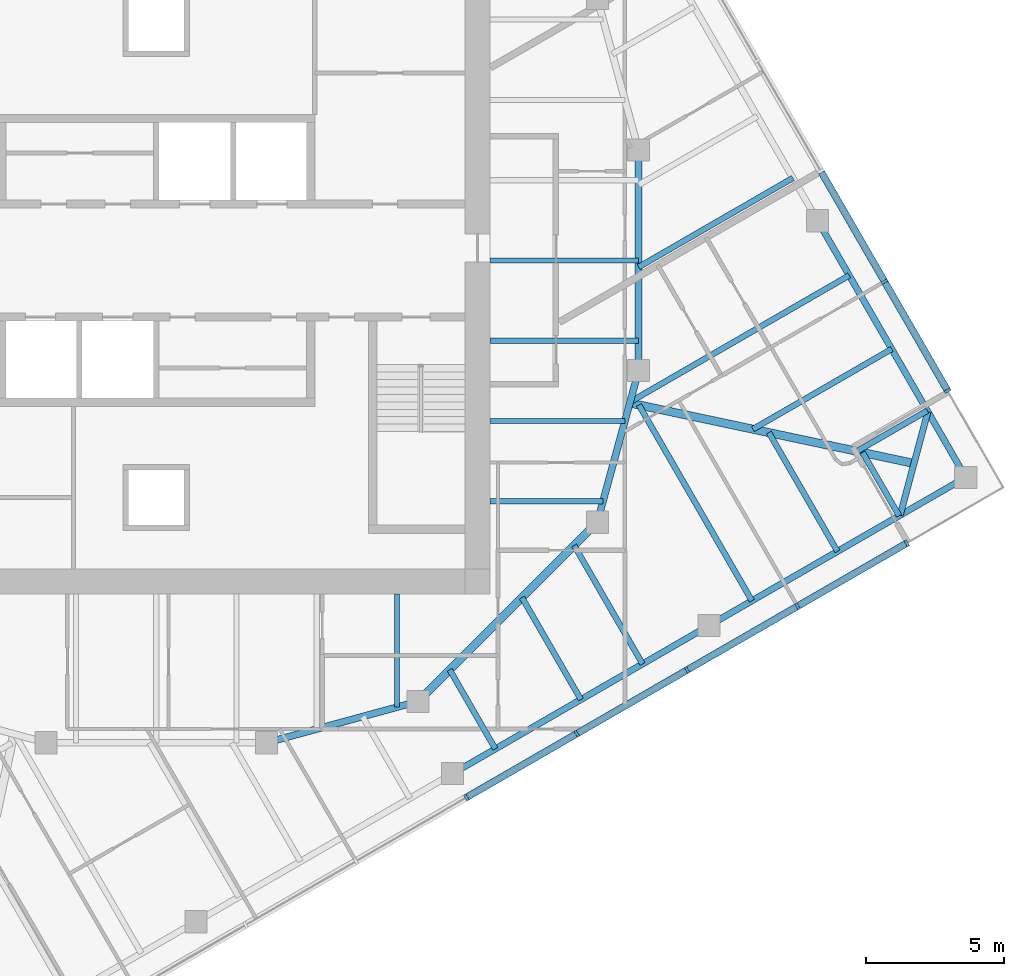
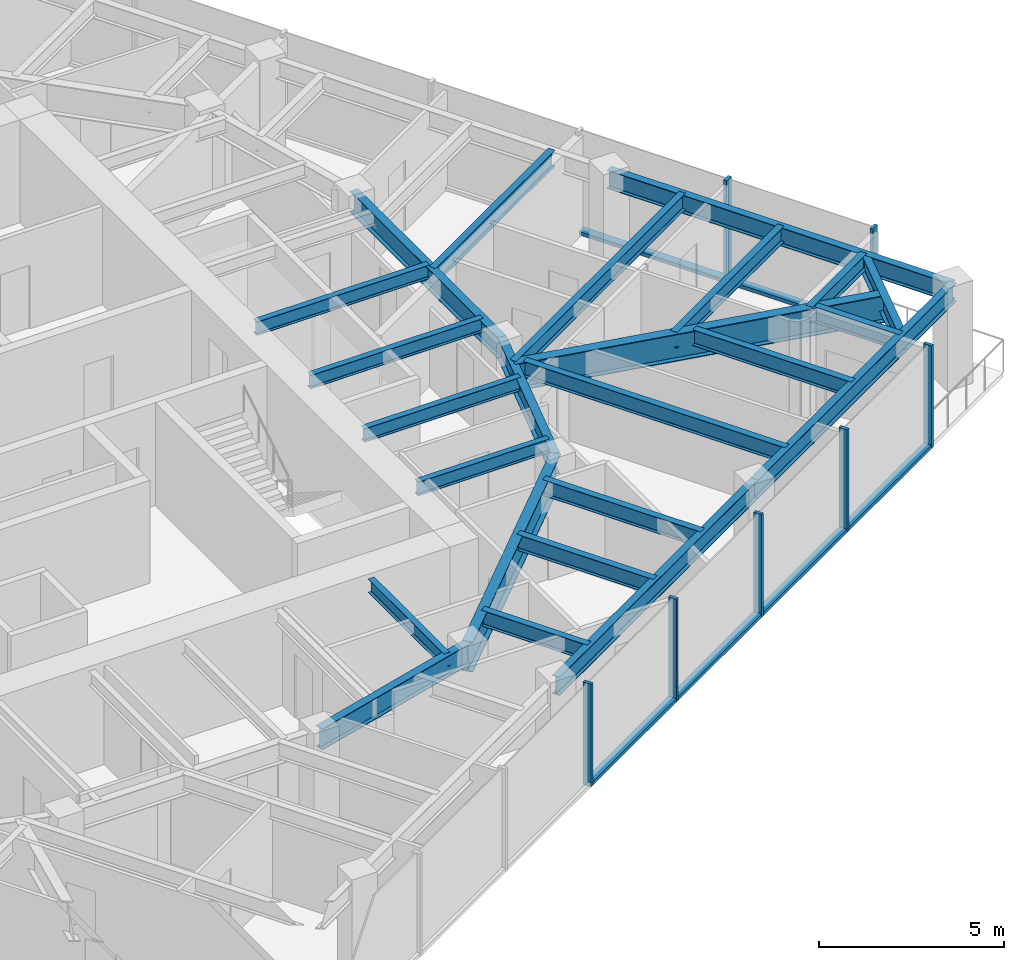
# One storey, part 3 of 13: 24 beams, 13 members, 2 elements without a shape of their own.
"""IFC4 building model written with IfcOpenShell, lengths in metres."""

from ifc_helpers import new_model, si_unit, direction, frame, origin, origin_2d, place, context, subcontext, project, spatial, rectangle, i_section, extrude, material, material_profile, profile_set, type_object, element, aggregate, save


model = new_model("IFC4")

# Units and contexts
model_context = context("Model", 3, precision=1e-05, world=origin(), true_north=direction((0.0, 1.0)))
body_context = subcontext(model_context, "Body", "Model", "MODEL_VIEW")
ifc_project = project(units=[si_unit("LENGTHUNIT", "METRE"), si_unit("AREAUNIT", "SQUARE_METRE"), si_unit("VOLUMEUNIT", "CUBIC_METRE"), si_unit("PLANEANGLEUNIT", "RADIAN"), si_unit("MASSUNIT", "GRAM", prefix="KILO")], contexts=[model_context])

# Site, building, storey
site_placement = place(None, origin())
site = spatial("IfcSite", under=ifc_project, at=site_placement, CompositionType="ELEMENT")
building_placement = place(site_placement, origin())
building = spatial("IfcBuilding", under=site, at=building_placement, Name="Torsade Residences", CompositionType="ELEMENT")
storey_placement = place(building_placement, frame((0.0, 0.0, 215.0)))
storey = spatial("IfcBuildingStorey", under=building, at=storey_placement, Name="L59", CompositionType="ELEMENT", Elevation=215.0)

# Beams
ifc_material_1 = material(Name="Steel grade 300", Category="steel")
ifc_material_profile_1 = material_profile(ifc_material_1, i_section(OverallWidth=0.300048828125, OverallDepth=0.89990234375, WebThickness=0.011962890625, FlangeThickness=0.02490234375, at=origin_2d()), Name="900WB175")
ifc_profile_set_1 = profile_set([ifc_material_profile_1], Name="Steel grade 300")
beam_type_1 = type_object("IfcBeamType", Name="CORNER GIRDER 900WB175", PredefinedType="BEAM", material=ifc_profile_set_1)
beam_1_placement = place(storey_placement, frame((67.4912109375, 22.6337890625, 2.800048828125), z_axis=(-0.978115155685, 0.20806427425, 0.0), x_axis=(-0.20806427425, -0.978115155685, 0.0)))
element("IfcBeam", 1, at=beam_1_placement, inside=storey, type_object=beam_type_1, Name="Corner girder 05 L60", PredefinedType="BEAM", context=body_context, shape_type="SweptSolid", body=[
    extrude(i_section(OverallWidth=0.300048828125, OverallDepth=0.89990234375, WebThickness=0.011962890625, FlangeThickness=0.02490234375, at=origin_2d()), origin(), (0.0, 0.0, 1.0), 10.541748046875),
])
ifc_material_2 = material(Name="Steel grade 300", Category="steel")
ifc_material_profile_2 = material_profile(ifc_material_2, i_section(OverallWidth=0.22802734375, OverallDepth=0.60205078125, WebThickness=0.010498046875, FlangeThickness=0.014892578125, FilletRadius=0.013916015625, at=origin_2d()), Name="610UB101")
ifc_profile_set_2 = profile_set([ifc_material_profile_2], Name="Steel grade 300")
beam_type_2 = type_object("IfcBeamType", Name="CORNER TRIMMER 610UB101", PredefinedType="BEAM", material=ifc_profile_set_2)
beam_2_placement = place(storey_placement, frame((67.99462890625, 24.511962890625, 2.948974609375), z_axis=(-0.258822897619, -0.965924794002, 0.0), x_axis=(0.965924794002, -0.258822897619, 0.0)))
element("IfcBeam", 2, at=beam_2_placement, inside=storey, type_object=beam_type_2, Name="Corner trimmer 05 L60", PredefinedType="BEAM", context=body_context, shape_type="SweptSolid", body=[
    extrude(i_section(OverallWidth=0.22802734375, OverallDepth=0.60205078125, WebThickness=0.010498046875, FlangeThickness=0.014892578125, FilletRadius=0.013916015625, at=origin_2d()), origin(), (0.0, 0.0, 1.0), 3.88916015625),
])
ifc_material_3 = material(Name="Steel grade 300", Category="steel")
ifc_material_profile_3 = material_profile(ifc_material_3, i_section(OverallWidth=0.22900390625, OverallDepth=0.612060546875, WebThickness=0.011962890625, FlangeThickness=0.01953125, FilletRadius=0.013916015625, at=origin_2d()), Name="610UB125")
ifc_profile_set_3 = profile_set([ifc_material_profile_3], Name="Steel grade 300")
beam_type_3 = type_object("IfcBeamType", Name="EDGE BEAM 610UB125", PredefinedType="SPANDREL", material=ifc_profile_set_3)
for number, where, z_axis, x_axis, name in (
    (3, (50.75, 11.38037109375, 2.944091796875), (0.866026365697, 0.499998333915, 0.0), (-0.499998333915, 0.866026365697, 0.0), "Edge beam 03 L60"),
    (4, (60.059814453125, 16.75537109375, 2.944091796875), (0.866026365697, 0.499998333915, 0.0), (-0.499998333915, 0.866026365697, 0.0), "Edge beam 04 L60"),
    (5, (69.36962890625, 22.13037109375, 2.944091796875), (-0.499998333915, 0.866026365697, 0.0), (-0.866026365697, -0.499998333915, 0.0), "Edge beam 05 L60"),
):
    element("IfcBeam", number, at=place(storey_placement, frame(where, z_axis=z_axis, x_axis=x_axis)), inside=storey, type_object=beam_type_3, Name=name, PredefinedType="SPANDREL", context=body_context, shape_type="SweptSolid", body=[
        extrude(i_section(OverallWidth=0.22900390625, OverallDepth=0.612060546875, WebThickness=0.011962890625, FlangeThickness=0.01953125, FilletRadius=0.013916015625, at=origin_2d()), origin(), (0.0, 0.0, 1.0), 10.75),
    ])

# Curtain wall, members
ifc_material_4 = material(Name="Aluminium and glass", Category="aluminium")
curtain_wall_type = type_object("IfcCurtainWallType", Name="FRITTED GLASS CURTAIN WALL HIGH ZONE", PredefinedType="NOTDEFINED", material=ifc_material_4)
curtain_wall_1_placement = place(storey_placement, origin())
curtain_wall_1 = element("IfcCurtainWall", 6, at=curtain_wall_1_placement, inside=storey, type_object=curtain_wall_type, Name="Curtain wall L59 face 1", PredefinedType="NOTDEFINED")
ifc_material_5 = material(Name="Aluminium mullion", Category="aluminium")
ifc_material_profile_4 = material_profile(ifc_material_5, rectangle(XDim=0.25, YDim=0.10009765625, at=origin_2d()), Name="HIGH ZONE CURTAIN WALL MULLION 250x100")
ifc_profile_set_4 = profile_set([ifc_material_profile_4], Name="Aluminium mullion")
member_type_1 = type_object("IfcMemberType", Name="HIGH ZONE CURTAIN WALL MULLION 250x100", PredefinedType="MULLION", material=ifc_profile_set_4)
member_1_placement = place(storey_placement, frame((51.25, 10.514404296875, 0.0), z_axis=(0.0, 0.0, 1.0), x_axis=(-0.499999999305, 0.866025404186, 0.0)))
member_1 = element("IfcMember", 7, at=member_1_placement, type_object=member_type_1, Name="Mullion 5", PredefinedType="MULLION", context=body_context, shape_type="SweptSolid", body=[
    extrude(rectangle(XDim=0.25, YDim=0.10009765625, at=origin_2d()), origin(), (0.0, 0.0, 1.0), 3.39990234375),
])
member_2_placement = place(storey_placement, frame((55.25537109375, 12.826904296875, 0.0), z_axis=(0.0, 0.0, 1.0), x_axis=(-0.499999999305, 0.866025404186, 0.0)))
member_2 = element("IfcMember", 8, at=member_2_placement, type_object=member_type_1, Name="Mullion 6", PredefinedType="MULLION", context=body_context, shape_type="SweptSolid", body=[
    extrude(rectangle(XDim=0.25, YDim=0.10009765625, at=origin_2d()), origin(), (0.0, 0.0, 1.0), 3.39990234375),
])
member_3_placement = place(storey_placement, frame((59.2607421875, 15.139404296875, 0.0), z_axis=(0.0, 0.0, 1.0), x_axis=(-0.499999999305, 0.866025404186, 0.0)))
member_3 = element("IfcMember", 9, at=member_3_placement, type_object=member_type_1, Name="Mullion 7", PredefinedType="MULLION", context=body_context, shape_type="SweptSolid", body=[
    extrude(rectangle(XDim=0.25, YDim=0.10009765625, at=origin_2d()), origin(), (0.0, 0.0, 1.0), 3.39990234375),
])
member_4_placement = place(storey_placement, frame((63.26611328125, 17.451904296875, 0.0), z_axis=(0.0, 0.0, 1.0), x_axis=(-0.499999999305, 0.866025404186, 0.0)))
member_4 = element("IfcMember", 10, at=member_4_placement, type_object=member_type_1, Name="Mullion 8", PredefinedType="MULLION", context=body_context, shape_type="SweptSolid", body=[
    extrude(rectangle(XDim=0.25, YDim=0.10009765625, at=origin_2d()), origin(), (0.0, 0.0, 1.0), 3.39990234375),
])
member_5_placement = place(storey_placement, frame((67.228271484375, 19.739501953125, 0.0), z_axis=(0.0, 0.0, 1.0), x_axis=(-0.499999999305, 0.866025404186, 0.0)))
member_5 = element("IfcMember", 11, at=member_5_placement, type_object=member_type_1, Name="Mullion 9", PredefinedType="MULLION", context=body_context, shape_type="SweptSolid", body=[
    extrude(rectangle(XDim=0.25, YDim=0.10009765625, at=origin_2d()), origin(), (0.0, 0.0, 1.0), 3.39990234375),
])

curtain_wall_2_placement = place(storey_placement, origin())
curtain_wall_2 = element("IfcCurtainWall", 12, at=curtain_wall_2_placement, inside=storey, type_object=curtain_wall_type, Name="Curtain wall L59 face 4", PredefinedType="NOTDEFINED")
member_6_placement = place(storey_placement, frame((68.710693359375, 25.271728515625, 0.0), z_axis=(0.0, 0.0, 1.0), x_axis=(-0.866025404186, -0.499999999305, 0.0)))
member_6 = element("IfcMember", 13, at=member_6_placement, type_object=member_type_1, Name="Mullion 1", PredefinedType="MULLION", context=body_context, shape_type="SweptSolid", body=[
    extrude(rectangle(XDim=0.25, YDim=0.10009765625, at=origin_2d()), origin(), (0.0, 0.0, 1.0), 3.39990234375),
])
member_7_placement = place(storey_placement, frame((66.423095703125, 29.23388671875, 0.0), z_axis=(0.0, 0.0, 1.0), x_axis=(-0.866025404186, -0.499999999305, 0.0)))
member_7 = element("IfcMember", 14, at=member_7_placement, type_object=member_type_1, Name="Mullion 2", PredefinedType="MULLION", context=body_context, shape_type="SweptSolid", body=[
    extrude(rectangle(XDim=0.25, YDim=0.10009765625, at=origin_2d()), origin(), (0.0, 0.0, 1.0), 3.39990234375),
])

# Member
ifc_material_6 = material(Name="Aluminium transom", Category="aluminium")
ifc_material_profile_5 = material_profile(ifc_material_6, rectangle(XDim=0.25, YDim=0.1201171875, at=origin_2d()), Name="HIGH ZONE CURTAIN WALL TRANSOM 250x120")
ifc_profile_set_5 = profile_set([ifc_material_profile_5], Name="Aluminium transom")
member_type_2 = type_object("IfcMemberType", Name="HIGH ZONE CURTAIN WALL TRANSOM 250x120", PredefinedType="USERDEFINED", material=ifc_profile_set_5)
member_8_placement = place(storey_placement, frame((51.293212890625, 10.539306640625, 0.06005859375), z_axis=(0.866016678684, 0.500015112013, 0.0), x_axis=(-0.500015112013, 0.866016678684, 0.0)))
member_8 = element("IfcMember", 15, at=member_8_placement, type_object=member_type_2, Name="Transom 5.1", ObjectType="TRANSOM", PredefinedType="USERDEFINED", context=body_context, shape_type="SweptSolid", body=[
    extrude(rectangle(XDim=0.25, YDim=0.1201171875, at=origin_2d()), origin(), (0.0, 0.0, 1.0), 4.525146484375),
])

member_9_placement = place(storey_placement, frame((55.298583984375, 12.851806640625, 0.06005859375), z_axis=(0.866016678684, 0.500015112013, 0.0), x_axis=(-0.500015112013, 0.866016678684, 0.0)))
member_9 = element("IfcMember", 16, at=member_9_placement, type_object=member_type_2, Name="Transom 6.1", ObjectType="TRANSOM", PredefinedType="USERDEFINED", context=body_context, shape_type="SweptSolid", body=[
    extrude(rectangle(XDim=0.25, YDim=0.1201171875, at=origin_2d()), origin(), (0.0, 0.0, 1.0), 4.525146484375),
])

member_10_placement = place(storey_placement, frame((59.303955078125, 15.164306640625, 0.06005859375), z_axis=(0.866016678684, 0.500015112013, 0.0), x_axis=(-0.500015112013, 0.866016678684, 0.0)))
member_10 = element("IfcMember", 17, at=member_10_placement, type_object=member_type_2, Name="Transom 7.1", ObjectType="TRANSOM", PredefinedType="USERDEFINED", context=body_context, shape_type="SweptSolid", body=[
    extrude(rectangle(XDim=0.25, YDim=0.1201171875, at=origin_2d()), origin(), (0.0, 0.0, 1.0), 4.525146484375),
])

member_11_placement = place(storey_placement, frame((63.309326171875, 17.476806640625, 0.06005859375), z_axis=(0.866022053326, 0.50000580312, 0.0), x_axis=(-0.50000580312, 0.866022053326, 0.0)))
member_11 = element("IfcMember", 18, at=member_11_placement, type_object=member_type_2, Name="Transom 8.1", ObjectType="TRANSOM", PredefinedType="USERDEFINED", context=body_context, shape_type="SweptSolid", body=[
    extrude(rectangle(XDim=0.25, YDim=0.1201171875, at=origin_2d()), origin(), (0.0, 0.0, 1.0), 4.47509765625),
])

aggregate(curtain_wall_1, [member_1, member_2, member_3, member_4, member_5, member_8, member_9, member_10, member_11])

member_12_placement = place(storey_placement, frame((68.685546875, 25.315185546875, 0.06005859375), z_axis=(-0.50000580312, 0.866022053326, 0.0), x_axis=(-0.866022053326, -0.50000580312, 0.0)))
member_12 = element("IfcMember", 19, at=member_12_placement, type_object=member_type_2, Name="Transom 1.1", ObjectType="TRANSOM", PredefinedType="USERDEFINED", context=body_context, shape_type="SweptSolid", body=[
    extrude(rectangle(XDim=0.25, YDim=0.1201171875, at=origin_2d()), origin(), (0.0, 0.0, 1.0), 4.47509765625),
])

member_13_placement = place(storey_placement, frame((66.398193359375, 29.277099609375, 0.06005859375), z_axis=(-0.500015112013, 0.866016678684, 0.0), x_axis=(-0.866016678684, -0.500015112013, 0.0)))
member_13 = element("IfcMember", 20, at=member_13_placement, type_object=member_type_2, Name="Transom 2.1", ObjectType="TRANSOM", PredefinedType="USERDEFINED", context=body_context, shape_type="SweptSolid", body=[
    extrude(rectangle(XDim=0.25, YDim=0.1201171875, at=origin_2d()), origin(), (0.0, 0.0, 1.0), 4.525146484375),
])

aggregate(curtain_wall_2, [member_6, member_7, member_12, member_13])

# Beams
ifc_material_7 = material(Name="Steel grade 300", Category="steel")
ifc_material_profile_6 = material_profile(ifc_material_7, i_section(OverallWidth=0.18994140625, OverallDepth=0.4541015625, WebThickness=0.008544921875, FlangeThickness=0.0126953125, FilletRadius=0.011474609375, at=origin_2d()), Name="460UB67.1")
ifc_profile_set_6 = profile_set([ifc_material_profile_6], Name="Steel grade 300")
beam_type_4 = type_object("IfcBeamType", Name="INNER FLOOR BEAM 460UB67.1", PredefinedType="JOIST", material=ifc_profile_set_6)
for number, where, z_axis, x_axis, name in (
    (21, (48.737548828125, 17.89990234375, 3.02294921875), (0.0, -1.0, 0.0), (1.0, 0.0, 0.0), "Inner floor beam IS01 L60"),
    (22, (52.10009765625, 21.262451171875, 3.02294921875), (1.0, 0.0, 0.0), (0.0, 1.0, 0.0), "Inner floor beam IE01 L60"),
):
    element("IfcBeam", number, at=place(storey_placement, frame(where, z_axis=z_axis, x_axis=x_axis)), inside=storey, type_object=beam_type_4, Name=name, PredefinedType="JOIST", context=body_context, shape_type="SweptSolid", body=[
        extrude(i_section(OverallWidth=0.18994140625, OverallDepth=0.4541015625, WebThickness=0.008544921875, FlangeThickness=0.0126953125, FilletRadius=0.011474609375, at=origin_2d()), origin(), (0.0, 0.0, 1.0), 4.10791015625),
    ])
beam_3_placement = place(storey_placement, frame((52.10009765625, 24.175048828125, 3.02294921875), z_axis=(1.0, 0.0, 0.0), x_axis=(0.0, 1.0, 0.0)))
element("IfcBeam", 23, at=beam_3_placement, inside=storey, type_object=beam_type_4, Name="Inner floor beam IE02 L60", PredefinedType="JOIST", context=body_context, shape_type="SweptSolid", body=[
    extrude(i_section(OverallWidth=0.18994140625, OverallDepth=0.4541015625, WebThickness=0.008544921875, FlangeThickness=0.0126953125, FilletRadius=0.011474609375, at=origin_2d()), origin(), (0.0, 0.0, 1.0), 4.902099609375),
])
for number, where, z_axis, x_axis, name in (
    (24, (52.10009765625, 27.08740234375, 3.02294921875), (1.0, 0.0, 0.0), (0.0, 1.0, 0.0), "Inner floor beam IE03 L60"),
    (25, (52.10009765625, 30.0, 3.02294921875), (1.0, 0.0, 0.0), (0.0, 1.0, 0.0), "Inner floor beam IE04 L60"),
):
    element("IfcBeam", number, at=place(storey_placement, frame(where, z_axis=z_axis, x_axis=x_axis)), inside=storey, type_object=beam_type_4, Name=name, PredefinedType="JOIST", context=body_context, shape_type="SweptSolid", body=[
        extrude(i_section(OverallWidth=0.18994140625, OverallDepth=0.4541015625, WebThickness=0.008544921875, FlangeThickness=0.0126953125, FilletRadius=0.011474609375, at=origin_2d()), origin(), (0.0, 0.0, 1.0), 5.39990234375),
    ])
ifc_material_8 = material(Name="Steel grade 300", Category="steel")
ifc_material_profile_7 = material_profile(ifc_material_8, i_section(OverallWidth=0.300048828125, OverallDepth=1.0, WebThickness=0.01611328125, FlangeThickness=0.028076171875, at=origin_2d()), Name="1000WB215")
ifc_profile_set_7 = profile_set([ifc_material_profile_7], Name="Steel grade 300")
beam_type_5 = type_object("IfcBeamType", Name="RING CORNER GIRDER 1000WB215", PredefinedType="BEAM", material=ifc_profile_set_7)
beam_4_placement = place(storey_placement, frame((49.5, 14.0, 2.75), z_axis=(0.707106781187, 0.707106781187, 0.0), x_axis=(-0.707106781187, 0.707106781187, 0.0)))
element("IfcBeam", 26, at=beam_4_placement, inside=storey, type_object=beam_type_5, Name="Ring girder IR15 L60", PredefinedType="BEAM", context=body_context, shape_type="SweptSolid", body=[
    extrude(i_section(OverallWidth=0.300048828125, OverallDepth=1.0, WebThickness=0.01611328125, FlangeThickness=0.028076171875, at=origin_2d()), origin(), (0.0, 0.0, 1.0), 9.1923828125),
])
ifc_material_9 = material(Name="Steel grade 300", Category="steel")
ifc_material_profile_8 = material_profile(ifc_material_9, i_section(OverallWidth=0.25, OverallDepth=0.699951171875, WebThickness=0.010009765625, FlangeThickness=0.02001953125, at=origin_2d()), Name="700WB130")
ifc_profile_set_8 = profile_set([ifc_material_profile_8], Name="Steel grade 300")
beam_type_6 = type_object("IfcBeamType", Name="RING GIRDER 700WB130", PredefinedType="BEAM", material=ifc_profile_set_8)
beam_5_placement = place(storey_placement, frame((57.5, 26.0, 2.89990234375), z_axis=(0.0, 1.0, 0.0), x_axis=(-1.0, 0.0, 0.0)))
element("IfcBeam", 27, at=beam_5_placement, inside=storey, type_object=beam_type_6, Name="Ring girder IR01 L60", PredefinedType="BEAM", context=body_context, shape_type="SweptSolid", body=[
    extrude(i_section(OverallWidth=0.25, OverallDepth=0.699951171875, WebThickness=0.010009765625, FlangeThickness=0.02001953125, at=origin_2d()), origin(), (0.0, 0.0, 1.0), 8.0),
])
for number, where, z_axis, x_axis, name in (
    (28, (44.0, 12.5, 2.89990234375), (0.964763821238, 0.263117405792, 0.0), (-0.263117405792, 0.964763821238, 0.0), "Ring girder IR14 L60"),
    (29, (56.0, 20.5, 2.89990234375), (0.263117405792, 0.964763821238, 0.0), (-0.964763821238, 0.263117405792, 0.0), "Ring girder IR16 L60"),
):
    element("IfcBeam", number, at=place(storey_placement, frame(where, z_axis=z_axis, x_axis=x_axis)), inside=storey, type_object=beam_type_6, Name=name, PredefinedType="BEAM", context=body_context, shape_type="SweptSolid", body=[
        extrude(i_section(OverallWidth=0.25, OverallDepth=0.699951171875, WebThickness=0.010009765625, FlangeThickness=0.02001953125, at=origin_2d()), origin(), (0.0, 0.0, 1.0), 5.700927734375),
    ])
ifc_material_10 = material(Name="Steel grade 300", Category="steel")
ifc_material_profile_9 = material_profile(ifc_material_10, i_section(OverallWidth=0.208984375, OverallDepth=0.528076171875, WebThickness=0.009521484375, FlangeThickness=0.01318359375, FilletRadius=0.013916015625, at=origin_2d()), Name="530UB82.0")
ifc_profile_set_9 = profile_set([ifc_material_profile_9], Name="Steel grade 300")
beam_type_7 = type_object("IfcBeamType", Name="SECONDARY BEAM 530UB82.0", PredefinedType="JOIST", material=ifc_profile_set_9)
beam_6_placement = place(storey_placement, frame((52.301513671875, 12.2763671875, 2.986083984375), z_axis=(-0.499975512502, 0.866039541186, 0.0), x_axis=(-0.866039541186, -0.499975512502, 0.0)))
element("IfcBeam", 30, at=beam_6_placement, inside=storey, type_object=beam_type_7, Name="Floor beam FS07 L60", PredefinedType="JOIST", context=body_context, shape_type="SweptSolid", body=[
    extrude(i_section(OverallWidth=0.208984375, OverallDepth=0.528076171875, WebThickness=0.009521484375, FlangeThickness=0.01318359375, FilletRadius=0.013916015625, at=origin_2d()), origin(), (0.0, 0.0, 1.0), 3.312744140625),
])
beam_7_placement = place(storey_placement, frame((55.40478515625, 14.06787109375, 2.986083984375), z_axis=(-0.500004369671, 0.866022880939, 0.0), x_axis=(-0.866022880939, -0.500004369671, 0.0)))
element("IfcBeam", 31, at=beam_7_placement, inside=storey, type_object=beam_type_7, Name="Floor beam FS08 L60", PredefinedType="JOIST", context=body_context, shape_type="SweptSolid", body=[
    extrude(i_section(OverallWidth=0.208984375, OverallDepth=0.528076171875, WebThickness=0.009521484375, FlangeThickness=0.01318359375, FilletRadius=0.013916015625, at=origin_2d()), origin(), (0.0, 0.0, 1.0), 4.27294921875),
])
beam_8_placement = place(storey_placement, frame((57.64208984375, 15.359619140625, 2.986083984375), z_axis=(-0.49996790502, 0.866043933037, 0.0), x_axis=(-0.866043933037, -0.49996790502, 0.0)))
element("IfcBeam", 32, at=beam_8_placement, inside=storey, type_object=beam_type_7, Name="Floor beam FS09 L60", PredefinedType="JOIST", context=body_context, shape_type="SweptSolid", body=[
    extrude(i_section(OverallWidth=0.208984375, OverallDepth=0.528076171875, WebThickness=0.009521484375, FlangeThickness=0.01318359375, FilletRadius=0.013916015625, at=origin_2d()), origin(), (0.0, 0.0, 1.0), 4.965087890625),
])
beam_9_placement = place(storey_placement, frame((61.611328125, 17.6513671875, 2.986083984375), z_axis=(-0.499992034702, 0.866030002502, 0.0), x_axis=(-0.866030002502, -0.499992034702, 0.0)))
element("IfcBeam", 33, at=beam_9_placement, inside=storey, type_object=beam_type_7, Name="Floor beam FS10 L60", PredefinedType="JOIST", context=body_context, shape_type="SweptSolid", body=[
    extrude(i_section(OverallWidth=0.208984375, OverallDepth=0.528076171875, WebThickness=0.009521484375, FlangeThickness=0.01318359375, FilletRadius=0.013916015625, at=origin_2d()), origin(), (0.0, 0.0, 1.0), 8.205322265625),
])
beam_10_placement = place(storey_placement, frame((64.714599609375, 19.44287109375, 2.986083984375), z_axis=(-0.499968694491, 0.866043477274, 0.0), x_axis=(-0.866043477274, -0.499968694491, 0.0)))
element("IfcBeam", 34, at=beam_10_placement, inside=storey, type_object=beam_type_7, Name="Floor beam FS11 L60", PredefinedType="JOIST", context=body_context, shape_type="SweptSolid", body=[
    extrude(i_section(OverallWidth=0.208984375, OverallDepth=0.528076171875, WebThickness=0.009521484375, FlangeThickness=0.01318359375, FilletRadius=0.013916015625, at=origin_2d()), origin(), (0.0, 0.0, 1.0), 4.977783203125),
])
beam_11_placement = place(storey_placement, frame((66.951904296875, 20.734619140625, 2.986083984375), z_axis=(-0.499972238474, 0.866041431316, 0.0), x_axis=(-0.866041431316, -0.499972238474, 0.0)))
element("IfcBeam", 35, at=beam_11_placement, inside=storey, type_object=beam_type_7, Name="Floor beam FS12 L60", PredefinedType="JOIST", context=body_context, shape_type="SweptSolid", body=[
    extrude(i_section(OverallWidth=0.208984375, OverallDepth=0.528076171875, WebThickness=0.009521484375, FlangeThickness=0.01318359375, FilletRadius=0.013916015625, at=origin_2d()), origin(), (0.0, 0.0, 1.0), 2.651123046875),
])
beam_12_placement = place(storey_placement, frame((67.9736328125, 24.548095703125, 2.986083984375), z_axis=(-0.866017313224, -0.500014013, 0.0), x_axis=(0.500014013, -0.866017313224, 0.0)))
element("IfcBeam", 36, at=beam_12_placement, inside=storey, type_object=beam_type_7, Name="Floor beam FE01 L60", PredefinedType="JOIST", context=body_context, shape_type="SweptSolid", body=[
    extrude(i_section(OverallWidth=0.208984375, OverallDepth=0.528076171875, WebThickness=0.009521484375, FlangeThickness=0.01318359375, FilletRadius=0.013916015625, at=origin_2d()), origin(), (0.0, 0.0, 1.0), 2.94775390625),
])
beam_13_placement = place(storey_placement, frame((66.68212890625, 26.785400390625, 2.986083984375), z_axis=(-0.866031100357, -0.499990133118, 0.0), x_axis=(0.499990133118, -0.866031100357, 0.0)))
element("IfcBeam", 37, at=beam_13_placement, inside=storey, type_object=beam_type_7, Name="Floor beam FE02 L60", PredefinedType="JOIST", context=body_context, shape_type="SweptSolid", body=[
    extrude(i_section(OverallWidth=0.208984375, OverallDepth=0.528076171875, WebThickness=0.009521484375, FlangeThickness=0.01318359375, FilletRadius=0.013916015625, at=origin_2d()), origin(), (0.0, 0.0, 1.0), 5.81591796875),
])
beam_14_placement = place(storey_placement, frame((65.140380859375, 29.45556640625, 2.986083984375), z_axis=(-0.866021712342, -0.500006393711, 0.0), x_axis=(0.500006393711, -0.866021712342, 0.0)))
element("IfcBeam", 38, at=beam_14_placement, inside=storey, type_object=beam_type_7, Name="Floor beam FE03 L60", PredefinedType="JOIST", context=body_context, shape_type="SweptSolid", body=[
    extrude(i_section(OverallWidth=0.208984375, OverallDepth=0.528076171875, WebThickness=0.009521484375, FlangeThickness=0.01318359375, FilletRadius=0.013916015625, at=origin_2d()), origin(), (0.0, 0.0, 1.0), 9.1796875),
])
beam_15_placement = place(storey_placement, frame((63.0986328125, 32.991943359375, 2.986083984375), z_axis=(-0.866022073929, -0.500005767435, 0.0), x_axis=(0.500005767435, -0.866022073929, 0.0)))
element("IfcBeam", 39, at=beam_15_placement, inside=storey, type_object=beam_type_7, Name="Floor beam FE04 L60", PredefinedType="JOIST", context=body_context, shape_type="SweptSolid", body=[
    extrude(i_section(OverallWidth=0.208984375, OverallDepth=0.528076171875, WebThickness=0.009521484375, FlangeThickness=0.01318359375, FilletRadius=0.013916015625, at=origin_2d()), origin(), (0.0, 0.0, 1.0), 6.46484375),
])

save(model, "model.ifc")
